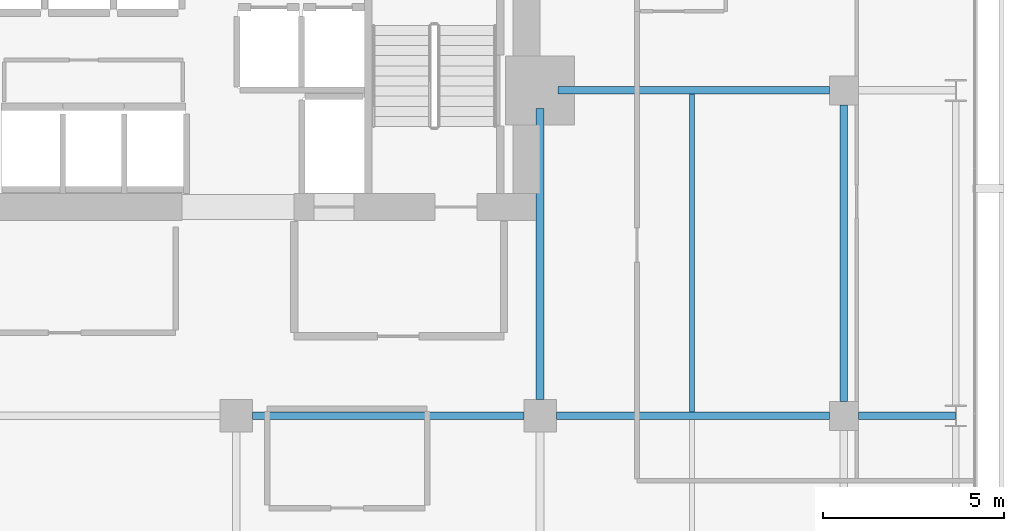
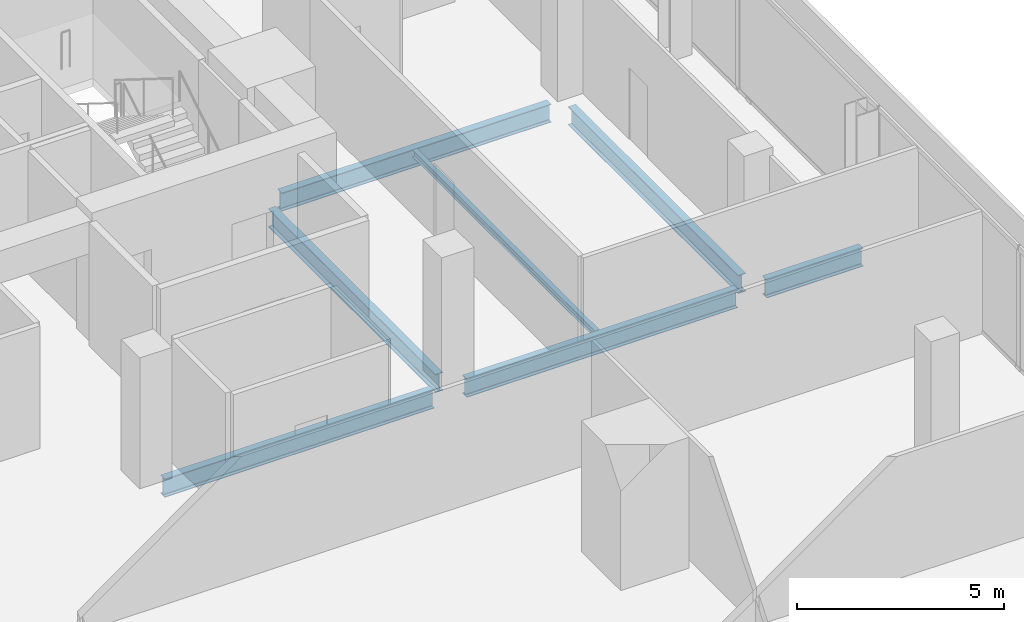
# One storey, part 23 of 32: 7 beams.
"""IFC4 building model written with IfcOpenShell, lengths in metres."""

from ifc_helpers import new_model, si_unit, direction, frame, origin, origin_2d, place, context, subcontext, project, spatial, i_section, extrude, material, material_profile, profile_set, type_object, element, save


model = new_model("IFC4")

# Units and contexts
model_context = context("Model", 3, precision=1e-05, world=origin(), true_north=direction((0.0, 1.0)))
body_context = subcontext(model_context, "Body", "Model", "MODEL_VIEW")
ifc_project = project(units=[si_unit("LENGTHUNIT", "METRE"), si_unit("AREAUNIT", "SQUARE_METRE"), si_unit("VOLUMEUNIT", "CUBIC_METRE"), si_unit("PLANEANGLEUNIT", "RADIAN"), si_unit("MASSUNIT", "GRAM", prefix="KILO")], contexts=[model_context])

# Site, building, storey
site_placement = place(None, origin())
site = spatial("IfcSite", under=ifc_project, at=site_placement, CompositionType="ELEMENT")
building_placement = place(site_placement, origin())
building = spatial("IfcBuilding", under=site, at=building_placement, Name="Maruvema Waterfront Hotel and Observation Tower", CompositionType="ELEMENT")
storey_placement = place(building_placement, frame((0.0, 0.0, 219.800048828125)))
storey = spatial("IfcBuildingStorey", under=building, at=storey_placement, Name="L54", CompositionType="ELEMENT", Elevation=219.800048828125)

# Beams
ifc_material_1 = material(Name="Steel ASTM A572 Grade 50", Category="steel")
ifc_material_profile_1 = material_profile(ifc_material_1, i_section(OverallWidth=0.2109375, OverallDepth=0.5390625, WebThickness=0.01171875, FlangeThickness=0.018798828125, FilletRadius=0.014892578125, at=origin_2d()), Name="W530x109.0")
ifc_profile_set_1 = profile_set([ifc_material_profile_1], Name="Steel ASTM A572 Grade 50")
beam_type_1 = type_object("IfcBeamType", Name="Primary Floor Girder W530x109.0", PredefinedType="BEAM", material=ifc_profile_set_1)
beam_1_placement = place(storey_placement, frame((42.449951171875, 36.0, -0.509521484375), z_axis=(1.0, 0.0, 0.0), x_axis=(0.0, 1.0, 0.0)))
element("IfcBeam", 1, at=beam_1_placement, inside=storey, type_object=beam_type_1, Name="L54 Floor Girder EW-27", PredefinedType="BEAM", context=body_context, shape_type="SweptSolid", body=[
    extrude(i_section(OverallWidth=0.2109375, OverallDepth=0.5390625, WebThickness=0.01171875, FlangeThickness=0.018798828125, FilletRadius=0.014892578125, at=origin_2d()), origin(), (0.0, 0.0, 1.0), 7.5),
])
beam_2_placement = place(storey_placement, frame((50.85009765625, 36.0, -0.509521484375), z_axis=(1.0, 0.0, 0.0), x_axis=(0.0, 1.0, 0.0)))
element("IfcBeam", 2, at=beam_2_placement, inside=storey, type_object=beam_type_1, Name="L54 Floor Girder EW-28", PredefinedType="BEAM", context=body_context, shape_type="SweptSolid", body=[
    extrude(i_section(OverallWidth=0.2109375, OverallDepth=0.5390625, WebThickness=0.01171875, FlangeThickness=0.018798828125, FilletRadius=0.014892578125, at=origin_2d()), origin(), (0.0, 0.0, 1.0), 7.5498046875),
])
beam_3_placement = place(storey_placement, frame((59.199951171875, 36.0, -0.509521484375), z_axis=(1.0, 0.0, 0.0), x_axis=(0.0, 1.0, 0.0)))
element("IfcBeam", 3, at=beam_3_placement, inside=storey, type_object=beam_type_1, Name="L54 Floor Girder EW-29", PredefinedType="BEAM", context=body_context, shape_type="SweptSolid", body=[
    extrude(i_section(OverallWidth=0.2109375, OverallDepth=0.5390625, WebThickness=0.01171875, FlangeThickness=0.018798828125, FilletRadius=0.014892578125, at=origin_2d()), origin(), (0.0, 0.0, 1.0), 2.6875),
])
beam_4_placement = place(storey_placement, frame((50.89990234375, 45.0, -0.509521484375), z_axis=(1.0, 0.0, 0.0), x_axis=(0.0, 1.0, 0.0)))
element("IfcBeam", 4, at=beam_4_placement, inside=storey, type_object=beam_type_1, Name="L54 Floor Girder EW-32", PredefinedType="BEAM", context=body_context, shape_type="SweptSolid", body=[
    extrude(i_section(OverallWidth=0.2109375, OverallDepth=0.5390625, WebThickness=0.01171875, FlangeThickness=0.018798828125, FilletRadius=0.014892578125, at=origin_2d()), origin(), (0.0, 0.0, 1.0), 7.5),
])
beam_5_placement = place(storey_placement, frame((50.39990234375, 36.449951171875, -0.509521484375), z_axis=(0.0, 1.0, 0.0), x_axis=(-1.0, 0.0, 0.0)))
element("IfcBeam", 5, at=beam_5_placement, inside=storey, type_object=beam_type_1, Name="L54 Floor Girder NS-24", PredefinedType="BEAM", context=body_context, shape_type="SweptSolid", body=[
    extrude(i_section(OverallWidth=0.2109375, OverallDepth=0.5390625, WebThickness=0.01171875, FlangeThickness=0.018798828125, FilletRadius=0.014892578125, at=origin_2d()), origin(), (0.0, 0.0, 1.0), 8.050048828125),
])
beam_6_placement = place(storey_placement, frame((58.800048828125, 36.39990234375, -0.509521484375), z_axis=(0.0, 1.0, 0.0), x_axis=(-1.0, 0.0, 0.0)))
element("IfcBeam", 6, at=beam_6_placement, inside=storey, type_object=beam_type_1, Name="L54 Floor Girder NS-28", PredefinedType="BEAM", context=body_context, shape_type="SweptSolid", body=[
    extrude(i_section(OverallWidth=0.2109375, OverallDepth=0.5390625, WebThickness=0.01171875, FlangeThickness=0.018798828125, FilletRadius=0.014892578125, at=origin_2d()), origin(), (0.0, 0.0, 1.0), 8.2001953125),
])
ifc_material_2 = material(Name="Steel ASTM A572 Grade 50", Category="steel")
ifc_material_profile_2 = material_profile(ifc_material_2, i_section(OverallWidth=0.133056640625, OverallDepth=0.20703125, WebThickness=0.005859375, FlangeThickness=0.00830078125, FilletRadius=0.010009765625, at=origin_2d()), Name="W200x26.6")
ifc_profile_set_2 = profile_set([ifc_material_profile_2], Name="Steel ASTM A572 Grade 50")
beam_type_2 = type_object("IfcBeamType", Name="Secondary Floor Joist W200x26.6", PredefinedType="JOIST", material=ifc_profile_set_2)
beam_7_placement = place(storey_placement, frame((54.60009765625, 36.10546875, -0.343505859375), z_axis=(0.0, 1.0, 0.0), x_axis=(-1.0, 0.0, 0.0)))
element("IfcBeam", 7, at=beam_7_placement, inside=storey, type_object=beam_type_2, Name="L54 Secondary Floor Joist JS-14", PredefinedType="JOIST", context=body_context, shape_type="SweptSolid", body=[
    extrude(i_section(OverallWidth=0.133056640625, OverallDepth=0.20703125, WebThickness=0.005859375, FlangeThickness=0.00830078125, FilletRadius=0.010009765625, at=origin_2d()), origin(), (0.0, 0.0, 1.0), 8.7890625),
])

save(model, "model.ifc")
